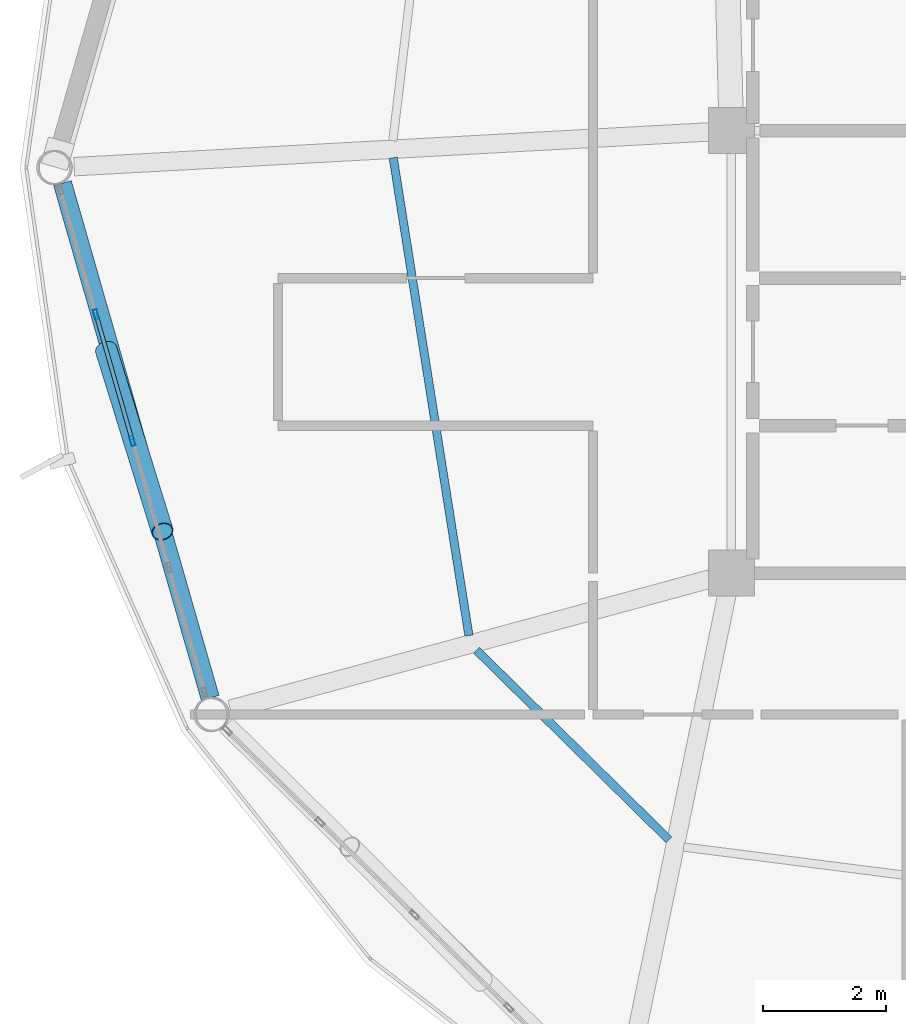
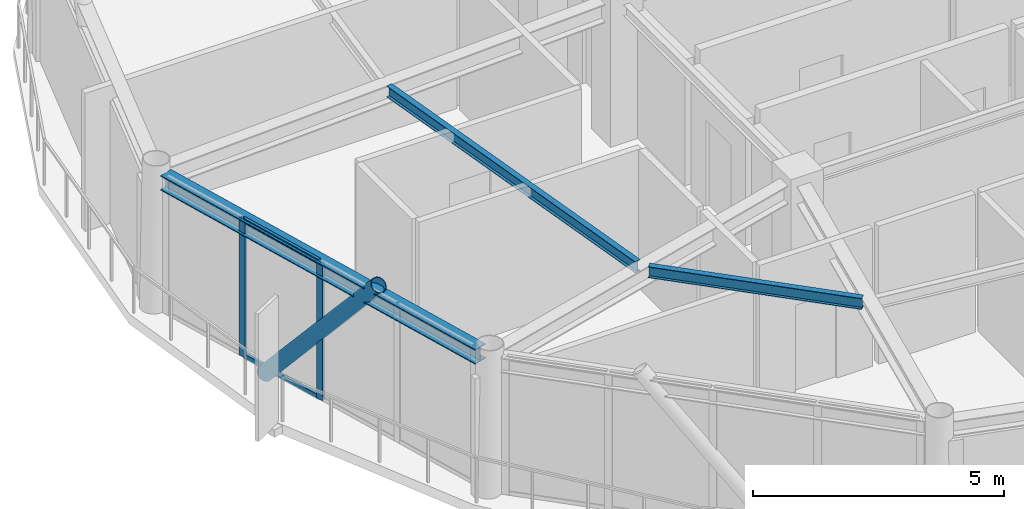
# One storey, part 5 of 27: 5 members, 3 beams, 1 element without a shape of its own.
"""IFC4 building model written with IfcOpenShell, lengths in metres."""

from ifc_helpers import new_model, si_unit, direction, frame, origin, origin_2d, place, context, subcontext, project, spatial, hollow_rectangle, hollow_circle, i_section, extrude, material, layer, layer_set, material_profile, profile_set, type_object, element, aggregate, save


model = new_model("IFC4")

# Units and contexts
model_context = context("Model", 3, precision=1e-05, world=origin(), true_north=direction((0.0, 1.0)))
body_context = subcontext(model_context, "Body", "Model", "MODEL_VIEW")
ifc_project = project(units=[si_unit("LENGTHUNIT", "METRE"), si_unit("AREAUNIT", "SQUARE_METRE"), si_unit("VOLUMEUNIT", "CUBIC_METRE"), si_unit("PLANEANGLEUNIT", "RADIAN"), si_unit("MASSUNIT", "GRAM", prefix="KILO")], contexts=[model_context])

# Site, building, storey
site_placement = place(None, origin())
site = spatial("IfcSite", under=ifc_project, at=site_placement, CompositionType="ELEMENT")
building_placement = place(site_placement, origin())
building = spatial("IfcBuilding", under=site, at=building_placement, Name="Varnakorn Sky Granary", CompositionType="ELEMENT")
storey_placement = place(building_placement, frame((0.0, 0.0, 263.39990234375)))
storey = spatial("IfcBuildingStorey", under=building, at=storey_placement, Name="L67", CompositionType="ELEMENT", Elevation=263.39990234375)

# Beams
ifc_material_1 = material(Name="Steel S355JR", Category="steel")
ifc_material_profile_1 = material_profile(ifc_material_1, i_section(OverallWidth=0.135009765625, OverallDepth=0.27001953125, WebThickness=0.006591796875, FlangeThickness=0.01025390625, at=origin_2d()), Name="IPE 270")
ifc_profile_set_1 = profile_set([ifc_material_profile_1], Name="Steel S355JR")
beam_type_1 = type_object("IfcBeamType", Name="BM-SEC-Z5", PredefinedType="BEAM", material=ifc_profile_set_1)
beam_1_placement = place(storey_placement, frame((-7.851318359375, 0.1591796875, 3.22509765625), z_axis=(0.156562975438, -0.987667977977, 0.0), x_axis=(0.987667977977, 0.156562975438, 0.0)))
element("IfcBeam", 1, at=beam_1_placement, inside=storey, type_object=beam_type_1, Name="Secondary Floor Chord Beam MSB07 L67", PredefinedType="BEAM", context=body_context, shape_type="SweptSolid", body=[
    extrude(i_section(OverallWidth=0.135009765625, OverallDepth=0.27001953125, WebThickness=0.006591796875, FlangeThickness=0.01025390625, at=origin_2d()), origin(), (0.0, 0.0, 1.0), 7.871826171875),
])
beam_2_placement = place(storey_placement, frame((-6.497314453125, -7.852294921875, 3.22509765625), z_axis=(0.712304663958, -0.701870405206, 0.0), x_axis=(0.701870405206, 0.712304663958, 0.0)))
element("IfcBeam", 2, at=beam_2_placement, inside=storey, type_object=beam_type_1, Name="Secondary Floor Chord Beam MSB08 L67", PredefinedType="BEAM", context=body_context, shape_type="SweptSolid", body=[
    extrude(i_section(OverallWidth=0.135009765625, OverallDepth=0.27001953125, WebThickness=0.006591796875, FlangeThickness=0.01025390625, at=origin_2d()), origin(), (0.0, 0.0, 1.0), 4.39892578125),
])
ifc_material_profile_2 = material_profile(ifc_material_1, i_section(OverallWidth=0.300048828125, OverallDepth=0.360107421875, WebThickness=0.012451171875, FlangeThickness=0.0224609375, at=origin_2d()), Name="HE 360 B")
ifc_profile_set_2 = profile_set([ifc_material_profile_2], Name="Steel S355JR")
beam_type_2 = type_object("IfcBeamType", Name="BM-SPD-Z5", PredefinedType="SPANDREL", material=ifc_profile_set_2)
beam_3_placement = place(storey_placement, frame((-13.23291015625, -0.254150390625, 3.18017578125), z_axis=(0.275808895098, -0.961212491276, 0.0), x_axis=(0.961212491276, 0.275808895098, 0.0)))
element("IfcBeam", 3, at=beam_3_placement, inside=storey, type_object=beam_type_2, Name="Perimeter Spandrel Ring Beam RB07 L67", PredefinedType="SPANDREL", context=body_context, shape_type="SweptSolid", body=[
    extrude(i_section(OverallWidth=0.300048828125, OverallDepth=0.360107421875, WebThickness=0.012451171875, FlangeThickness=0.0224609375, at=origin_2d()), origin(), (0.0, 0.0, 1.0), 8.713623046875),
])

# Curtain wall, members
ifc_material_2 = material(Name="Anodised Bronze Aluminium Alloy 6063-T6", Category="aluminium")
ifc_layer = layer(ifc_material_2, 0.159912109375, Name="Anodised Bronze Aluminium Alloy 6063-T6")
ifc_layer_set = layer_set([ifc_layer], Name="Anodised Bronze Aluminium Alloy 6063-T6")
curtain_wall_type = type_object("IfcCurtainWallType", Name="CW-OFF-1", PredefinedType="USERDEFINED", material=ifc_layer_set)
curtain_wall_placement = place(storey_placement, origin())
curtain_wall = element("IfcCurtainWall", 4, at=curtain_wall_placement, inside=storey, type_object=curtain_wall_type, Name="Unitised Curtain Wall CW6 CW-L67-B07", ObjectType="CURTAIN WALL", PredefinedType="USERDEFINED")
ifc_material_profile_3 = material_profile(ifc_material_2, hollow_rectangle(XDim=0.06494140625, YDim=0.159912109375, WallThickness=0.00341796875, at=origin_2d()), Name="ALU MULL 65x160")
ifc_profile_set_3 = profile_set([ifc_material_profile_3], Name="Anodised Bronze Aluminium Alloy 6063-T6")
member_type_1 = type_object("IfcMemberType", Name="CW-OFF-1-MULL", PredefinedType="MULLION", material=ifc_profile_set_3)
member_1_placement = place(storey_placement, frame((-12.0947265625, -4.450439453125, 0.0), z_axis=(0.0, 0.0, 1.0), x_axis=(-0.961085237133, -0.276251999026, 0.0)))
member_1 = element("IfcMember", 5, at=member_1_placement, type_object=member_type_1, Name="CW6 mullion 3", PredefinedType="MULLION", context=body_context, shape_type="SweptSolid", body=[
    extrude(hollow_rectangle(XDim=0.06494140625, YDim=0.159912109375, WallThickness=0.00341796875, at=origin_2d()), origin(), (0.0, 0.0, 1.0), 3.360107421875),
])
member_2_placement = place(storey_placement, frame((-12.6875, -2.388427734375, 0.0), z_axis=(0.0, 0.0, 1.0), x_axis=(-0.961085237133, -0.276251999026, 0.0)))
member_2 = element("IfcMember", 6, at=member_2_placement, type_object=member_type_1, Name="CW6 mullion 4", PredefinedType="MULLION", context=body_context, shape_type="SweptSolid", body=[
    extrude(hollow_rectangle(XDim=0.06494140625, YDim=0.159912109375, WallThickness=0.00341796875, at=origin_2d()), origin(), (0.0, 0.0, 1.0), 3.360107421875),
])
ifc_material_profile_4 = material_profile(ifc_material_2, hollow_rectangle(XDim=0.06494140625, YDim=0.1201171875, WallThickness=0.00341796875, at=origin_2d()), Name="ALU TRAN 65x120")
ifc_profile_set_4 = profile_set([ifc_material_profile_4], Name="Anodised Bronze Aluminium Alloy 6063-T6")
member_type_2 = type_object("IfcMemberType", Name="CW-OFF-1-TRAN", PredefinedType="USERDEFINED", material=ifc_profile_set_4)
member_3_placement = place(storey_placement, frame((-12.103759765625, -4.419189453125, 0.03271484375), z_axis=(-0.276239680474, 0.961088777862, 0.0), x_axis=(-0.961088777862, -0.276239680474, 0.0)))
member_3 = element("IfcMember", 7, at=member_3_placement, type_object=member_type_2, Name="CW6 transom 3.1", ObjectType="TRANSOM", PredefinedType="USERDEFINED", context=body_context, shape_type="SweptSolid", body=[
    extrude(hollow_rectangle(XDim=0.06494140625, YDim=0.1201171875, WallThickness=0.00341796875, at=origin_2d()), origin(), (0.0, 0.0, 1.0), 2.08056640625),
])
member_4_placement = place(storey_placement, frame((-12.103759765625, -4.419189453125, 3.32763671875), z_axis=(-0.276239680474, 0.961088777862, 0.0), x_axis=(-0.961088777862, -0.276239680474, 0.0)))
member_4 = element("IfcMember", 8, at=member_4_placement, type_object=member_type_2, Name="CW6 transom 3.2", ObjectType="TRANSOM", PredefinedType="USERDEFINED", context=body_context, shape_type="SweptSolid", body=[
    extrude(hollow_rectangle(XDim=0.06494140625, YDim=0.1201171875, WallThickness=0.00341796875, at=origin_2d()), origin(), (0.0, 0.0, 1.0), 2.08056640625),
])
aggregate(curtain_wall, [member_1, member_2, member_3, member_4])

# Member
ifc_material_3 = material(Name="Steel S460M", Category="steel")
ifc_material_profile_5 = material_profile(ifc_material_3, hollow_circle(Radius=0.177734375, WallThickness=0.01416015625, at=origin_2d()), Name="CHS 355.6x14")
ifc_profile_set_5 = profile_set([ifc_material_profile_5], Name="Steel S460M")
member_type_3 = type_object("IfcMemberType", Name="MB-DIAG-T5", PredefinedType="BRACE", material=ifc_profile_set_5)
member_5_placement = place(storey_placement, frame((-12.521240234375, -2.967041015625, -0.1298828125), z_axis=(0.192107075732, -0.62066940454, 0.760173902289), x_axis=(0.955288013448, 0.295676869849, 0.0)))
element("IfcMember", 9, at=member_5_placement, inside=storey, type_object=member_type_3, Name="Perimeter CHS Diagrid Brace DG07 L67", PredefinedType="BRACE", context=body_context, shape_type="SweptSolid", body=[
    extrude(hollow_circle(Radius=0.177734375, WallThickness=0.01416015625, at=origin_2d()), origin(), (0.0, 0.0, 1.0), 4.761962890625),
])

save(model, "model.ifc")
